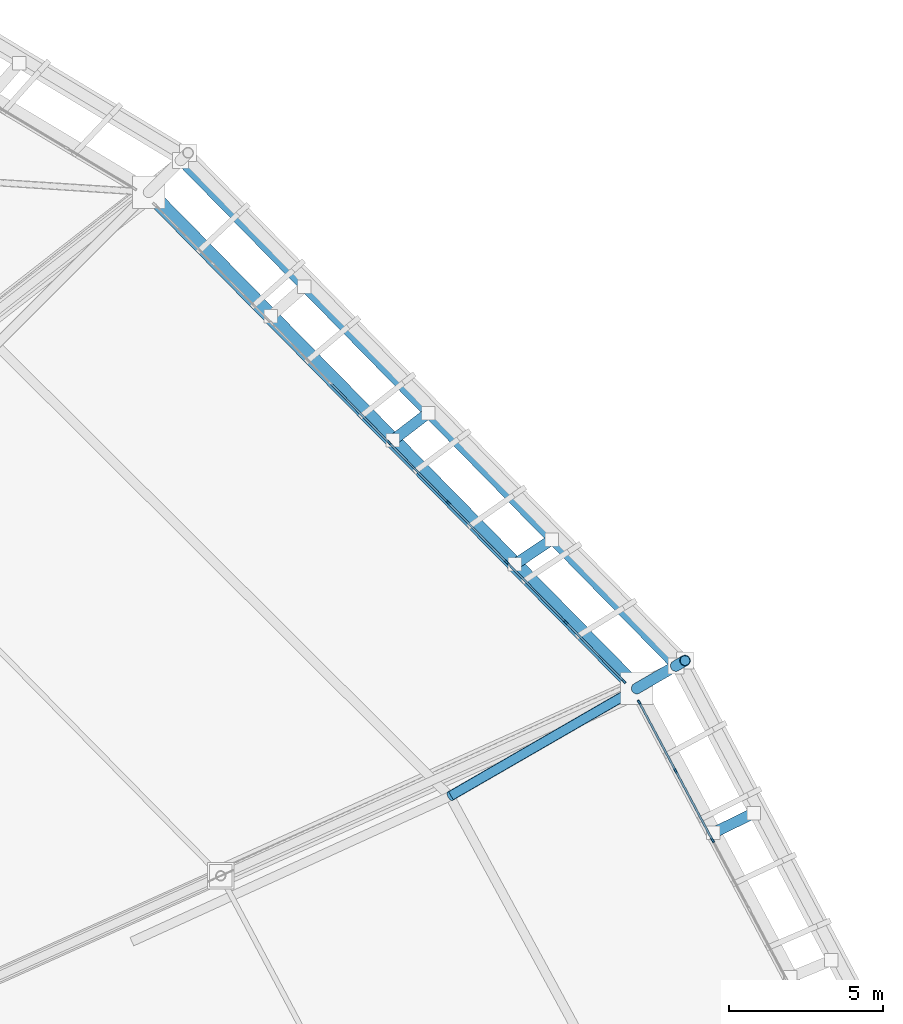
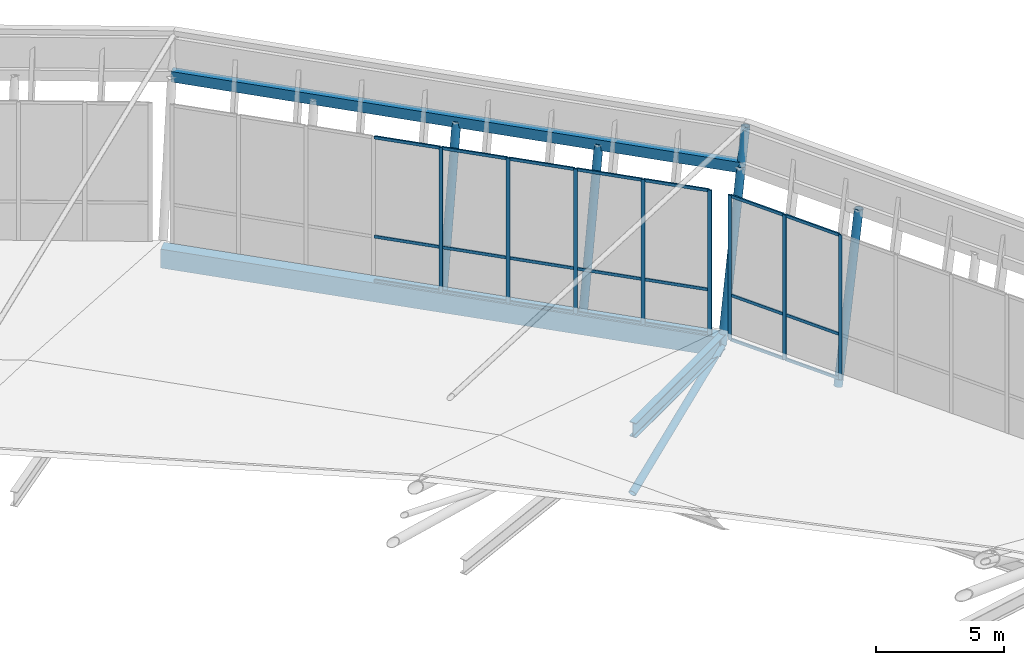
# One storey, part 58 of 115: 35 members, 3 beams, 2 elements without a shape of their own.
"""IFC4 building model written with IfcOpenShell, lengths in metres."""

from ifc_helpers import new_model, si_unit, direction, frame, origin, origin_2d, place, context, subcontext, project, spatial, rectangle, hollow_rectangle, hollow_circle, i_section, extrude, material, material_profile, profile_set, type_object, element, aggregate, save


model = new_model("IFC4")

# Units and contexts
model_context = context("Model", 3, precision=1e-05, world=origin(), true_north=direction((0.0, 1.0)))
body_context = subcontext(model_context, "Body", "Model", "MODEL_VIEW")
ifc_project = project(units=[si_unit("LENGTHUNIT", "METRE"), si_unit("AREAUNIT", "SQUARE_METRE"), si_unit("VOLUMEUNIT", "CUBIC_METRE"), si_unit("PLANEANGLEUNIT", "RADIAN"), si_unit("MASSUNIT", "GRAM", prefix="KILO")], contexts=[model_context])

# Site, building, storey
site_placement = place(None, origin())
site = spatial("IfcSite", under=ifc_project, at=site_placement, CompositionType="ELEMENT")
building_placement = place(site_placement, origin())
building = spatial("IfcBuilding", under=site, at=building_placement, Name="Zlatoyarsky Gate Stadium", CompositionType="ELEMENT")
storey_placement = place(building_placement, frame((0.0, 0.0, 31.800048828125)))
storey = spatial("IfcBuildingStorey", under=building, at=storey_placement, Name="RF", CompositionType="ELEMENT", Elevation=31.800048828125)

# Curtain wall, members
ifc_material_1 = material(Name="Thermally broken anodised aluminium curtain wall", Category="aluminium")
curtain_wall_type = type_object("IfcCurtainWallType", Name="UNITISED SKYBOX RING GLAZING L05", PredefinedType="USERDEFINED", material=ifc_material_1)
curtain_wall_1_placement = place(storey_placement, origin())
curtain_wall_1 = element("IfcCurtainWall", 1, at=curtain_wall_1_placement, inside=storey, type_object=curtain_wall_type, Name="Curtain wall CW-RF-01", ObjectType="UNITISED GLAZING", PredefinedType="USERDEFINED")
ifc_material_2 = material(Name="Anodised aluminium 6063-T6", Category="aluminium")
ifc_material_profile_1 = material_profile(ifc_material_2, rectangle(XDim=0.06494140625, YDim=0.159912109375, at=origin_2d()), Name="ALU 65X160")
ifc_profile_set_1 = profile_set([ifc_material_profile_1], Name="Anodised aluminium 6063-T6")
member_type_1 = type_object("IfcMemberType", Name="ALUMINIUM MULLION 65X160", PredefinedType="MULLION", material=ifc_profile_set_1)
member_1_placement = place(storey_placement, frame((200.09375, 114.07080078125, 0.0), z_axis=(0.0, 0.0, 1.0), x_axis=(-0.883130898599, -0.469126652345, 0.0)))
member_1 = element("IfcMember", 2, at=member_1_placement, type_object=member_type_1, Name="CW-UG5 mullion 7", PredefinedType="MULLION", context=body_context, shape_type="SweptSolid", body=[
    extrude(rectangle(XDim=0.06494140625, YDim=0.159912109375, at=origin_2d()), origin(), (0.0, 0.0, 1.0), 6.89990234375),
])
member_2_placement = place(storey_placement, frame((198.893310546875, 116.330810546875, 0.0), z_axis=(0.0, 0.0, 1.0), x_axis=(-0.883130898599, -0.469126652345, 0.0)))
member_2 = element("IfcMember", 3, at=member_2_placement, type_object=member_type_1, Name="CW-UG5 mullion 8", PredefinedType="MULLION", context=body_context, shape_type="SweptSolid", body=[
    extrude(rectangle(XDim=0.06494140625, YDim=0.159912109375, at=origin_2d()), origin(), (0.0, 0.0, 1.0), 6.89990234375),
])
member_3_placement = place(storey_placement, frame((197.708251953125, 118.561767578125, 0.0), z_axis=(0.0, 0.0, 1.0), x_axis=(-0.883130898599, -0.469126652345, 0.0)))
member_3 = element("IfcMember", 4, at=member_3_placement, type_object=member_type_1, Name="CW-UG5 mullion 9", PredefinedType="MULLION", context=body_context, shape_type="SweptSolid", body=[
    extrude(rectangle(XDim=0.06494140625, YDim=0.159912109375, at=origin_2d()), origin(), (0.0, 0.0, 1.0), 6.89990234375),
])

curtain_wall_2_placement = place(storey_placement, origin())
curtain_wall_2 = element("IfcCurtainWall", 5, at=curtain_wall_2_placement, inside=storey, type_object=curtain_wall_type, Name="Curtain wall CW-RF-02", ObjectType="UNITISED GLAZING", PredefinedType="USERDEFINED")
member_4_placement = place(storey_placement, frame((197.201904296875, 119.251953125, 0.0), z_axis=(0.0, 0.0, 1.0), x_axis=(-0.712766053473, -0.701401848456, 0.0)))
member_4 = element("IfcMember", 6, at=member_4_placement, type_object=member_type_1, Name="CW-UG5 mullion 1", PredefinedType="MULLION", context=body_context, shape_type="SweptSolid", body=[
    extrude(rectangle(XDim=0.06494140625, YDim=0.159912109375, at=origin_2d()), origin(), (0.0, 0.0, 1.0), 6.89990234375),
])
member_5_placement = place(storey_placement, frame((195.310546875, 121.174072265625, 0.0), z_axis=(0.0, 0.0, 1.0), x_axis=(-0.712766053473, -0.701401848456, 0.0)))
member_5 = element("IfcMember", 7, at=member_5_placement, type_object=member_type_1, Name="CW-UG5 mullion 2", PredefinedType="MULLION", context=body_context, shape_type="SweptSolid", body=[
    extrude(rectangle(XDim=0.06494140625, YDim=0.159912109375, at=origin_2d()), origin(), (0.0, 0.0, 1.0), 6.89990234375),
])
member_6_placement = place(storey_placement, frame((193.396484375, 123.119140625, 0.0), z_axis=(0.0, 0.0, 1.0), x_axis=(-0.712766053473, -0.701401848456, 0.0)))
member_6 = element("IfcMember", 8, at=member_6_placement, type_object=member_type_1, Name="CW-UG5 mullion 3", PredefinedType="MULLION", context=body_context, shape_type="SweptSolid", body=[
    extrude(rectangle(XDim=0.06494140625, YDim=0.159912109375, at=origin_2d()), origin(), (0.0, 0.0, 1.0), 6.89990234375),
])
member_7_placement = place(storey_placement, frame((191.482421875, 125.064208984375, 0.0), z_axis=(0.0, 0.0, 1.0), x_axis=(-0.712766053473, -0.701401848456, 0.0)))
member_7 = element("IfcMember", 9, at=member_7_placement, type_object=member_type_1, Name="CW-UG5 mullion 4", PredefinedType="MULLION", context=body_context, shape_type="SweptSolid", body=[
    extrude(rectangle(XDim=0.06494140625, YDim=0.159912109375, at=origin_2d()), origin(), (0.0, 0.0, 1.0), 6.89990234375),
])
member_8_placement = place(storey_placement, frame((189.568115234375, 127.00927734375, 0.0), z_axis=(0.0, 0.0, 1.0), x_axis=(-0.712766053473, -0.701401848456, 0.0)))
member_8 = element("IfcMember", 10, at=member_8_placement, type_object=member_type_1, Name="CW-UG5 mullion 5", PredefinedType="MULLION", context=body_context, shape_type="SweptSolid", body=[
    extrude(rectangle(XDim=0.06494140625, YDim=0.159912109375, at=origin_2d()), origin(), (0.0, 0.0, 1.0), 6.89990234375),
])

# Member
ifc_material_profile_2 = material_profile(ifc_material_2, rectangle(XDim=0.06494140625, YDim=0.139892578125, at=origin_2d()), Name="ALU 65X140")
ifc_profile_set_2 = profile_set([ifc_material_profile_2], Name="Anodised aluminium 6063-T6")
member_type_2 = type_object("IfcMemberType", Name="ALUMINIUM TRANSOM 65X140", PredefinedType="USERDEFINED", material=ifc_profile_set_2)
member_9_placement = place(storey_placement, frame((200.07861328125, 114.099609375, 0.032470703125), z_axis=(-0.469124208683, 0.883132196688, 0.0), x_axis=(-0.883132196688, -0.469124208683, 0.0)))
member_9 = element("IfcMember", 11, at=member_9_placement, type_object=member_type_2, Name="CW-UG5 transom 7.1", ObjectType="TRANSOM", PredefinedType="USERDEFINED", context=body_context, shape_type="SweptSolid", body=[
    extrude(rectangle(XDim=0.06494140625, YDim=0.139892578125, at=origin_2d()), origin(), (0.0, 0.0, 1.0), 2.493896484375),
])

member_10_placement = place(storey_placement, frame((200.07861328125, 114.099609375, 2.14990234375), z_axis=(-0.469124208683, 0.883132196688, 0.0), x_axis=(-0.883132196688, -0.469124208683, 0.0)))
member_10 = element("IfcMember", 12, at=member_10_placement, type_object=member_type_2, Name="CW-UG5 transom 7.2", ObjectType="TRANSOM", PredefinedType="USERDEFINED", context=body_context, shape_type="SweptSolid", body=[
    extrude(rectangle(XDim=0.06494140625, YDim=0.139892578125, at=origin_2d()), origin(), (0.0, 0.0, 1.0), 2.493896484375),
])

member_11_placement = place(storey_placement, frame((200.07861328125, 114.099609375, 6.867431640625), z_axis=(-0.469124208683, 0.883132196688, 0.0), x_axis=(-0.883132196688, -0.469124208683, 0.0)))
member_11 = element("IfcMember", 13, at=member_11_placement, type_object=member_type_2, Name="CW-UG5 transom 7.3", ObjectType="TRANSOM", PredefinedType="USERDEFINED", context=body_context, shape_type="SweptSolid", body=[
    extrude(rectangle(XDim=0.06494140625, YDim=0.139892578125, at=origin_2d()), origin(), (0.0, 0.0, 1.0), 2.493896484375),
])

member_12_placement = place(storey_placement, frame((198.878173828125, 116.359375, 0.032470703125), z_axis=(-0.469135887796, 0.883125992587, 0.0), x_axis=(-0.883125992587, -0.469135887796, 0.0)))
member_12 = element("IfcMember", 14, at=member_12_placement, type_object=member_type_2, Name="CW-UG5 transom 8.1", ObjectType="TRANSOM", PredefinedType="USERDEFINED", context=body_context, shape_type="SweptSolid", body=[
    extrude(rectangle(XDim=0.06494140625, YDim=0.139892578125, at=origin_2d()), origin(), (0.0, 0.0, 1.0), 2.46142578125),
])

member_13_placement = place(storey_placement, frame((198.878173828125, 116.359375, 2.14990234375), z_axis=(-0.469135887796, 0.883125992587, 0.0), x_axis=(-0.883125992587, -0.469135887796, 0.0)))
member_13 = element("IfcMember", 15, at=member_13_placement, type_object=member_type_2, Name="CW-UG5 transom 8.2", ObjectType="TRANSOM", PredefinedType="USERDEFINED", context=body_context, shape_type="SweptSolid", body=[
    extrude(rectangle(XDim=0.06494140625, YDim=0.139892578125, at=origin_2d()), origin(), (0.0, 0.0, 1.0), 2.46142578125),
])

member_14_placement = place(storey_placement, frame((198.878173828125, 116.359375, 6.867431640625), z_axis=(-0.469135887796, 0.883125992587, 0.0), x_axis=(-0.883125992587, -0.469135887796, 0.0)))
member_14 = element("IfcMember", 16, at=member_14_placement, type_object=member_type_2, Name="CW-UG5 transom 8.3", ObjectType="TRANSOM", PredefinedType="USERDEFINED", context=body_context, shape_type="SweptSolid", body=[
    extrude(rectangle(XDim=0.06494140625, YDim=0.139892578125, at=origin_2d()), origin(), (0.0, 0.0, 1.0), 2.46142578125),
])

aggregate(curtain_wall_1, [member_1, member_2, member_3, member_9, member_10, member_11, member_12, member_13, member_14])

member_15_placement = place(storey_placement, frame((197.178955078125, 119.275146484375, 0.032470703125), z_axis=(-0.701378106075, 0.712789416531, 0.0), x_axis=(-0.712789416531, -0.701378106075, 0.0)))
member_15 = element("IfcMember", 17, at=member_15_placement, type_object=member_type_2, Name="CW-UG5 transom 1.1", ObjectType="TRANSOM", PredefinedType="USERDEFINED", context=body_context, shape_type="SweptSolid", body=[
    extrude(rectangle(XDim=0.06494140625, YDim=0.139892578125, at=origin_2d()), origin(), (0.0, 0.0, 1.0), 2.631591796875),
])

member_16_placement = place(storey_placement, frame((197.178955078125, 119.275146484375, 2.14990234375), z_axis=(-0.701378106075, 0.712789416531, 0.0), x_axis=(-0.712789416531, -0.701378106075, 0.0)))
member_16 = element("IfcMember", 18, at=member_16_placement, type_object=member_type_2, Name="CW-UG5 transom 1.2", ObjectType="TRANSOM", PredefinedType="USERDEFINED", context=body_context, shape_type="SweptSolid", body=[
    extrude(rectangle(XDim=0.06494140625, YDim=0.139892578125, at=origin_2d()), origin(), (0.0, 0.0, 1.0), 2.631591796875),
])

member_17_placement = place(storey_placement, frame((197.178955078125, 119.275146484375, 6.867431640625), z_axis=(-0.701378106075, 0.712789416531, 0.0), x_axis=(-0.712789416531, -0.701378106075, 0.0)))
member_17 = element("IfcMember", 19, at=member_17_placement, type_object=member_type_2, Name="CW-UG5 transom 1.3", ObjectType="TRANSOM", PredefinedType="USERDEFINED", context=body_context, shape_type="SweptSolid", body=[
    extrude(rectangle(XDim=0.06494140625, YDim=0.139892578125, at=origin_2d()), origin(), (0.0, 0.0, 1.0), 2.631591796875),
])

member_18_placement = place(storey_placement, frame((195.28759765625, 121.197265625, 0.032470703125), z_axis=(-0.701401615361, 0.712766282851, 0.0), x_axis=(-0.712766282851, -0.701401615361, 0.0)))
member_18 = element("IfcMember", 20, at=member_18_placement, type_object=member_type_2, Name="CW-UG5 transom 2.1", ObjectType="TRANSOM", PredefinedType="USERDEFINED", context=body_context, shape_type="SweptSolid", body=[
    extrude(rectangle(XDim=0.06494140625, YDim=0.139892578125, at=origin_2d()), origin(), (0.0, 0.0, 1.0), 2.663818359375),
])

member_19_placement = place(storey_placement, frame((195.28759765625, 121.197265625, 2.14990234375), z_axis=(-0.701401615361, 0.712766282851, 0.0), x_axis=(-0.712766282851, -0.701401615361, 0.0)))
member_19 = element("IfcMember", 21, at=member_19_placement, type_object=member_type_2, Name="CW-UG5 transom 2.2", ObjectType="TRANSOM", PredefinedType="USERDEFINED", context=body_context, shape_type="SweptSolid", body=[
    extrude(rectangle(XDim=0.06494140625, YDim=0.139892578125, at=origin_2d()), origin(), (0.0, 0.0, 1.0), 2.663818359375),
])

member_20_placement = place(storey_placement, frame((195.28759765625, 121.197265625, 6.867431640625), z_axis=(-0.701401615361, 0.712766282851, 0.0), x_axis=(-0.712766282851, -0.701401615361, 0.0)))
member_20 = element("IfcMember", 22, at=member_20_placement, type_object=member_type_2, Name="CW-UG5 transom 2.3", ObjectType="TRANSOM", PredefinedType="USERDEFINED", context=body_context, shape_type="SweptSolid", body=[
    extrude(rectangle(XDim=0.06494140625, YDim=0.139892578125, at=origin_2d()), origin(), (0.0, 0.0, 1.0), 2.663818359375),
])

member_21_placement = place(storey_placement, frame((193.37353515625, 123.142333984375, 0.032470703125), z_axis=(-0.701401615361, 0.712766282851, 0.0), x_axis=(-0.712766282851, -0.701401615361, 0.0)))
member_21 = element("IfcMember", 23, at=member_21_placement, type_object=member_type_2, Name="CW-UG5 transom 3.1", ObjectType="TRANSOM", PredefinedType="USERDEFINED", context=body_context, shape_type="SweptSolid", body=[
    extrude(rectangle(XDim=0.06494140625, YDim=0.139892578125, at=origin_2d()), origin(), (0.0, 0.0, 1.0), 2.663818359375),
])

member_22_placement = place(storey_placement, frame((193.37353515625, 123.142333984375, 2.14990234375), z_axis=(-0.701401615361, 0.712766282851, 0.0), x_axis=(-0.712766282851, -0.701401615361, 0.0)))
member_22 = element("IfcMember", 24, at=member_22_placement, type_object=member_type_2, Name="CW-UG5 transom 3.2", ObjectType="TRANSOM", PredefinedType="USERDEFINED", context=body_context, shape_type="SweptSolid", body=[
    extrude(rectangle(XDim=0.06494140625, YDim=0.139892578125, at=origin_2d()), origin(), (0.0, 0.0, 1.0), 2.663818359375),
])

member_23_placement = place(storey_placement, frame((193.37353515625, 123.142333984375, 6.867431640625), z_axis=(-0.701401615361, 0.712766282851, 0.0), x_axis=(-0.712766282851, -0.701401615361, 0.0)))
member_23 = element("IfcMember", 25, at=member_23_placement, type_object=member_type_2, Name="CW-UG5 transom 3.3", ObjectType="TRANSOM", PredefinedType="USERDEFINED", context=body_context, shape_type="SweptSolid", body=[
    extrude(rectangle(XDim=0.06494140625, YDim=0.139892578125, at=origin_2d()), origin(), (0.0, 0.0, 1.0), 2.663818359375),
])

member_24_placement = place(storey_placement, frame((191.45947265625, 125.08740234375, 0.032470703125), z_axis=(-0.701401615361, 0.712766282851, 0.0), x_axis=(-0.712766282851, -0.701401615361, 0.0)))
member_24 = element("IfcMember", 26, at=member_24_placement, type_object=member_type_2, Name="CW-UG5 transom 4.1", ObjectType="TRANSOM", PredefinedType="USERDEFINED", context=body_context, shape_type="SweptSolid", body=[
    extrude(rectangle(XDim=0.06494140625, YDim=0.139892578125, at=origin_2d()), origin(), (0.0, 0.0, 1.0), 2.663818359375),
])

member_25_placement = place(storey_placement, frame((191.45947265625, 125.08740234375, 2.14990234375), z_axis=(-0.701401615361, 0.712766282851, 0.0), x_axis=(-0.712766282851, -0.701401615361, 0.0)))
member_25 = element("IfcMember", 27, at=member_25_placement, type_object=member_type_2, Name="CW-UG5 transom 4.2", ObjectType="TRANSOM", PredefinedType="USERDEFINED", context=body_context, shape_type="SweptSolid", body=[
    extrude(rectangle(XDim=0.06494140625, YDim=0.139892578125, at=origin_2d()), origin(), (0.0, 0.0, 1.0), 2.663818359375),
])

member_26_placement = place(storey_placement, frame((191.45947265625, 125.08740234375, 6.867431640625), z_axis=(-0.701401615361, 0.712766282851, 0.0), x_axis=(-0.712766282851, -0.701401615361, 0.0)))
member_26 = element("IfcMember", 28, at=member_26_placement, type_object=member_type_2, Name="CW-UG5 transom 4.3", ObjectType="TRANSOM", PredefinedType="USERDEFINED", context=body_context, shape_type="SweptSolid", body=[
    extrude(rectangle(XDim=0.06494140625, YDim=0.139892578125, at=origin_2d()), origin(), (0.0, 0.0, 1.0), 2.663818359375),
])

member_27_placement = place(storey_placement, frame((189.54541015625, 127.032470703125, 0.032470703125), z_axis=(-0.701355797551, 0.712811367222, 0.0), x_axis=(-0.712811367222, -0.701355797551, 0.0)))
member_27 = element("IfcMember", 29, at=member_27_placement, type_object=member_type_2, Name="CW-UG5 transom 5.1", ObjectType="TRANSOM", PredefinedType="USERDEFINED", context=body_context, shape_type="SweptSolid", body=[
    extrude(rectangle(XDim=0.06494140625, YDim=0.139892578125, at=origin_2d()), origin(), (0.0, 0.0, 1.0), 2.6640625),
])

member_28_placement = place(storey_placement, frame((189.54541015625, 127.032470703125, 2.14990234375), z_axis=(-0.701355797551, 0.712811367222, 0.0), x_axis=(-0.712811367222, -0.701355797551, 0.0)))
member_28 = element("IfcMember", 30, at=member_28_placement, type_object=member_type_2, Name="CW-UG5 transom 5.2", ObjectType="TRANSOM", PredefinedType="USERDEFINED", context=body_context, shape_type="SweptSolid", body=[
    extrude(rectangle(XDim=0.06494140625, YDim=0.139892578125, at=origin_2d()), origin(), (0.0, 0.0, 1.0), 2.6640625),
])

member_29_placement = place(storey_placement, frame((189.54541015625, 127.032470703125, 6.867431640625), z_axis=(-0.701355797551, 0.712811367222, 0.0), x_axis=(-0.712811367222, -0.701355797551, 0.0)))
member_29 = element("IfcMember", 31, at=member_29_placement, type_object=member_type_2, Name="CW-UG5 transom 5.3", ObjectType="TRANSOM", PredefinedType="USERDEFINED", context=body_context, shape_type="SweptSolid", body=[
    extrude(rectangle(XDim=0.06494140625, YDim=0.139892578125, at=origin_2d()), origin(), (0.0, 0.0, 1.0), 2.6640625),
])

aggregate(curtain_wall_2, [member_4, member_5, member_6, member_7, member_8, member_15, member_16, member_17, member_18, member_19, member_20, member_21, member_22, member_23, member_24, member_25, member_26, member_27, member_28, member_29])

# Members
ifc_material_3 = material(Name="Steel S355", Category="steel")
ifc_material_profile_3 = material_profile(ifc_material_3, hollow_circle(Radius=0.177734375, WallThickness=0.02001953125, at=origin_2d()), Name="CHS 355.6X20")
ifc_profile_set_3 = profile_set([ifc_material_profile_3], Name="Steel S355")
member_type_3 = type_object("IfcMemberType", Name="STEEL LEANING RIB RING STRUT CHS 355.6X20", PredefinedType="STRUT", material=ifc_profile_set_3)
member_30_placement = place(storey_placement, frame((200.12451171875, 114.30908203125, -0.449951171875), z_axis=(0.169006721512, 0.083383379682, 0.982081432508), x_axis=(-0.442452958982, 0.89679171444, 0.0)))
element("IfcMember", 32, at=member_30_placement, inside=storey, type_object=member_type_3, Name="Outward-leaning bowl louvre fin rib RF 01-3", PredefinedType="STRUT", context=body_context, shape_type="SweptSolid", body=[
    extrude(hollow_circle(Radius=0.177734375, WallThickness=0.02001953125, at=origin_2d()), origin(), (0.0, 0.0, 1.0), 7.738525390625),
])
member_31_placement = place(storey_placement, frame((197.62646484375, 119.013916015625, -0.449951171875), z_axis=(0.164206124539, 0.094782828321, 0.981861784631), x_axis=(-0.499914467095, 0.866074780599, 0.0)))
element("IfcMember", 33, at=member_31_placement, inside=storey, type_object=member_type_3, Name="Outward-leaning crown fascia lower post 02", PredefinedType="STRUT", context=body_context, shape_type="SweptSolid", body=[
    extrude(hollow_circle(Radius=0.177734375, WallThickness=0.02001953125, at=origin_2d()), origin(), (0.0, 0.0, 1.0), 7.740234375),
])
member_32_placement = place(storey_placement, frame((198.8974609375, 119.74755859375, 7.14990234375), z_axis=(0.174163789364, 0.100587325845, 0.979565803994), x_axis=(-0.500126092966, 0.865952591736, 0.0)))
element("IfcMember", 34, at=member_32_placement, inside=storey, type_object=member_type_3, Name="Outward-leaning crown fascia upper post 02", PredefinedType="STRUT", context=body_context, shape_type="SweptSolid", body=[
    extrude(hollow_circle(Radius=0.177734375, WallThickness=0.02001953125, at=origin_2d()), origin(), (0.0, 0.0, 1.0), 1.7353515625),
])
member_33_placement = place(storey_placement, frame((193.65234375, 123.0537109375, -0.449951171875), z_axis=(0.156703430904, 0.104647731087, 0.982085987641), x_axis=(-0.555356854157, 0.831612147904, 0.0)))
element("IfcMember", 35, at=member_33_placement, inside=storey, type_object=member_type_3, Name="Outward-leaning bowl louvre fin rib RF 02-1", PredefinedType="STRUT", context=body_context, shape_type="SweptSolid", body=[
    extrude(hollow_circle(Radius=0.177734375, WallThickness=0.02001953125, at=origin_2d()), origin(), (0.0, 0.0, 1.0), 7.738525390625),
])
member_34_placement = place(storey_placement, frame((189.67822265625, 127.09375, -0.449951171875), z_axis=(0.14920522339, 0.114498996761, 0.982154662491), x_axis=(-0.608794232093, 0.793328168522, 0.0)))
element("IfcMember", 36, at=member_34_placement, inside=storey, type_object=member_type_3, Name="Outward-leaning bowl louvre fin rib RF 02-2", PredefinedType="STRUT", context=body_context, shape_type="SweptSolid", body=[
    extrude(hollow_circle(Radius=0.177734375, WallThickness=0.02001953125, at=origin_2d()), origin(), (0.0, 0.0, 1.0), 7.738037109375),
])

# Beams
ifc_material_profile_4 = material_profile(ifc_material_3, hollow_rectangle(XDim=0.300048828125, YDim=0.5, WallThickness=0.02001953125, at=origin_2d()), Name="RHS 500X300X20")
ifc_profile_set_4 = profile_set([ifc_material_profile_4], Name="Steel S355")
beam_type_1 = type_object("IfcBeamType", Name="STEEL LOUVRE CARRIER SPANDREL RHS 500X300X20", PredefinedType="SPANDREL", material=ifc_profile_set_4)
beam_1_placement = place(storey_placement, frame((198.8974609375, 119.74755859375, 7.14990234375), z_axis=(-0.699808295725, 0.714330700191, 0.0), x_axis=(-0.714330700191, -0.699808295725, 0.0)))
element("IfcBeam", 37, at=beam_1_placement, inside=storey, type_object=beam_type_1, Name="Crown eaves fascia bottom carrier spandrel 02", PredefinedType="SPANDREL", context=body_context, shape_type="SweptSolid", body=[
    extrude(hollow_rectangle(XDim=0.300048828125, YDim=0.5, WallThickness=0.02001953125, at=origin_2d()), origin(), (0.0, 0.0, 1.0), 23.04833984375),
])
ifc_material_profile_5 = material_profile(ifc_material_3, hollow_rectangle(XDim=0.5, YDim=0.89990234375, WallThickness=0.028076171875, at=origin_2d()), Name="RHS 900X500X28")
ifc_profile_set_5 = profile_set([ifc_material_profile_5], Name="Steel S355")
beam_type_2 = type_object("IfcBeamType", Name="STEEL OUTER COMPRESSION RING BEAM RHS 900X500X28", PredefinedType="USERDEFINED", material=ifc_profile_set_5)
beam_2_placement = place(storey_placement, frame((197.62646484375, 119.013916015625, -0.449951171875), z_axis=(-0.701266884869, 0.712898840079, 0.0), x_axis=(-0.712898840079, -0.701266884869, 0.0)))
element("IfcBeam", 38, at=beam_2_placement, inside=storey, type_object=beam_type_2, Name="Outer compression ring beam 02", ObjectType="RING BEAM", PredefinedType="USERDEFINED", context=body_context, shape_type="SweptSolid", body=[
    extrude(hollow_rectangle(XDim=0.5, YDim=0.89990234375, WallThickness=0.028076171875, at=origin_2d()), origin(), (0.0, 0.0, 1.0), 22.66796875),
])
ifc_material_profile_6 = material_profile(ifc_material_3, i_section(OverallWidth=0.300048828125, OverallDepth=0.699951171875, WebThickness=0.01708984375, FlangeThickness=0.031982421875, FilletRadius=0.027099609375, at=origin_2d()), Name="HEB 700")
ifc_profile_set_6 = profile_set([ifc_material_profile_6], Name="Steel S355")
beam_type_3 = type_object("IfcBeamType", Name="STEEL ROOF RING GIRDER HEB 700", PredefinedType="BEAM", material=ifc_profile_set_6)
beam_3_placement = place(storey_placement, frame((191.574951171875, 115.52001953125, -0.300048828125), z_axis=(0.866022092401, 0.50000573544, 0.0), x_axis=(-0.50000573544, 0.866022092401, 0.0)))
element("IfcBeam", 39, at=beam_3_placement, inside=storey, type_object=beam_type_3, Name="RF roof tie girder BM-RF-COUT-02", PredefinedType="BEAM", context=body_context, shape_type="SweptSolid", body=[
    extrude(i_section(OverallWidth=0.300048828125, OverallDepth=0.699951171875, WebThickness=0.01708984375, FlangeThickness=0.031982421875, FilletRadius=0.027099609375, at=origin_2d()), origin(), (0.0, 0.0, 1.0), 6.98779296875),
])

# Member
ifc_material_profile_7 = material_profile(ifc_material_3, hollow_circle(Radius=0.161865234375, WallThickness=0.01611328125, at=origin_2d()), Name="CHS 323.9X16")
ifc_profile_set_7 = profile_set([ifc_material_profile_7], Name="Steel S355")
member_type_4 = type_object("IfcMemberType", Name="STEEL TRUSS WEB STRUT CHS 323.9X16", PredefinedType="STRUT", material=ifc_profile_set_7)
member_35_placement = place(storey_placement, frame((191.540283203125, 115.5, -3.300048828125), z_axis=(0.802536248055, 0.463352088662, 0.37581965421), x_axis=(-0.500006126462, 0.866021866641, 0.0)))
element("IfcMember", 40, at=member_35_placement, inside=storey, type_object=member_type_4, Name="Arch heel prop 02", PredefinedType="STRUT", context=body_context, shape_type="SweptSolid", body=[
    extrude(hollow_circle(Radius=0.161865234375, WallThickness=0.01611328125, at=origin_2d()), origin(), (0.0, 0.0, 1.0), 7.583740234375),
])

save(model, "model.ifc")
